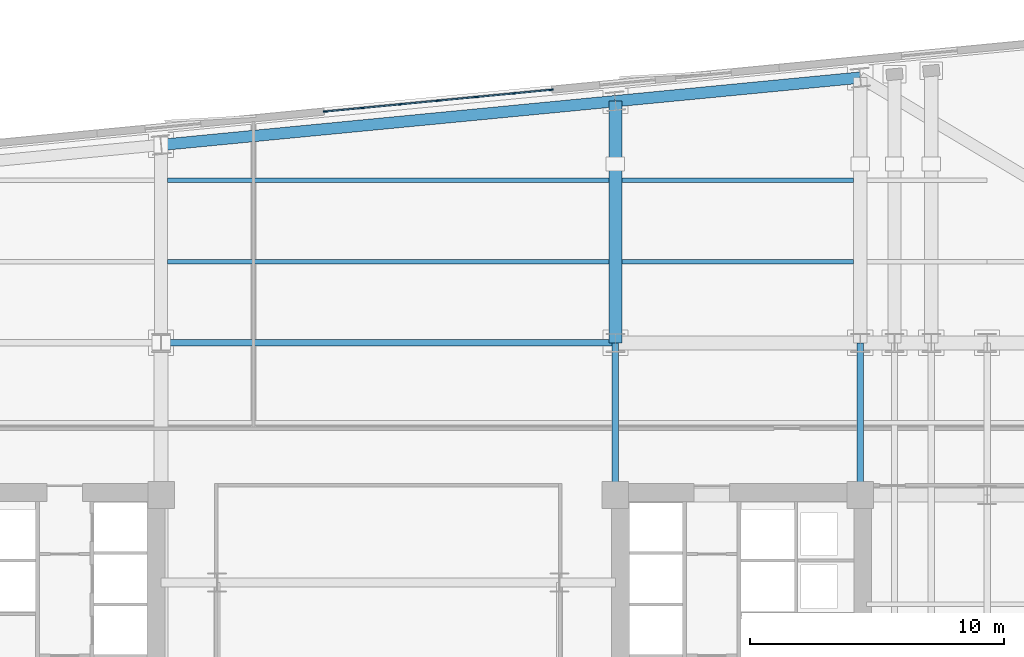
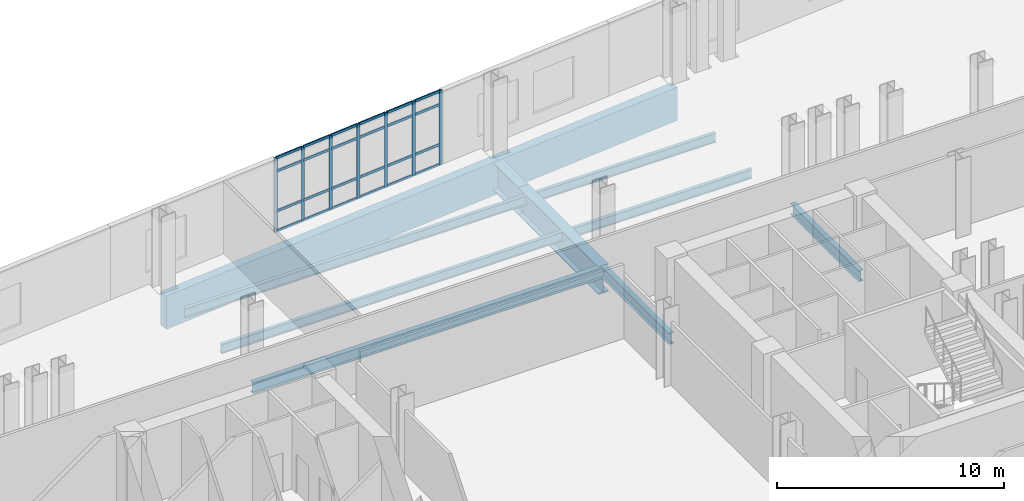
# One storey, part 3 of 14: 31 members, 11 beams, 1 element without a shape of its own.
"""IFC4 building model written with IfcOpenShell, lengths in metres."""

from ifc_helpers import new_model, si_unit, direction, frame, origin, origin_2d, place, context, subcontext, project, spatial, rectangle, i_section, extrude, material, layer, layer_set, material_profile, profile_set, type_object, element, aggregate, save


model = new_model("IFC4")

# Units and contexts
model_context = context("Model", 3, precision=1e-05, world=origin(), true_north=direction((0.0, 1.0)))
body_context = subcontext(model_context, "Body", "Model", "MODEL_VIEW")
ifc_project = project(units=[si_unit("LENGTHUNIT", "METRE"), si_unit("AREAUNIT", "SQUARE_METRE"), si_unit("VOLUMEUNIT", "CUBIC_METRE"), si_unit("PLANEANGLEUNIT", "RADIAN"), si_unit("MASSUNIT", "GRAM", prefix="KILO")], contexts=[model_context])

# Site, building, storey
site_placement = place(None, origin())
site = spatial("IfcSite", under=ifc_project, at=site_placement, CompositionType="ELEMENT")
building_placement = place(site_placement, origin())
building = spatial("IfcBuilding", under=site, at=building_placement, Name="Velakula Bourse", CompositionType="ELEMENT")
storey_placement = place(building_placement, frame((0.0, 0.0, 70.0)))
storey = spatial("IfcBuildingStorey", under=building, at=storey_placement, Name="L18", CompositionType="ELEMENT", Elevation=70.0)

# Beams
ifc_material_1 = material(Name="Steel IS 2062 Grade 350 (E350)", Category="steel")
ifc_material_profile_1 = material_profile(ifc_material_1, i_section(OverallWidth=0.25, OverallDepth=0.60009765625, WebThickness=0.01171875, FlangeThickness=0.023681640625, at=origin_2d()), Name="Steel IS 2062 Grade 350 (E350)")
ifc_profile_set_1 = profile_set([ifc_material_profile_1], Name="Steel IS 2062 Grade 350 (E350)")
beam_type_1 = type_object("IfcBeamType", Name="BM-GRD-600H", PredefinedType="BEAM", material=ifc_profile_set_1)
for number, where, z_axis, x_axis, name in (
    (1, (8.949951171875, 8.60009765625, -0.580078125), (0.0, 1.0, 0.0), (-1.0, 0.0, 0.0), "L18 Fulcrum Grid Girder FLC-ECN"),
    (2, (18.60009765625, 8.60009765625, -0.580078125), (0.0, 1.0, 0.0), (-1.0, 0.0, 0.0), "L18 Fulcrum Grid Girder FLC-EN"),
):
    element("IfcBeam", number, at=place(storey_placement, frame(where, z_axis=z_axis, x_axis=x_axis)), inside=storey, type_object=beam_type_1, Name=name, PredefinedType="BEAM", context=body_context, shape_type="SweptSolid", body=[
        extrude(i_section(OverallWidth=0.25, OverallDepth=0.60009765625, WebThickness=0.01171875, FlangeThickness=0.023681640625, at=origin_2d()), origin(), (0.0, 0.0, 1.0), 6.0),
    ])
beam_1_placement = place(storey_placement, frame((-8.949951171875, 14.60009765625, -0.580078125), z_axis=(1.0, 0.0, 0.0), x_axis=(0.0, 1.0, 0.0)))
element("IfcBeam", 3, at=beam_1_placement, inside=storey, type_object=beam_type_1, Name="L18 Fulcrum Grid Girder FLC-N2", PredefinedType="BEAM", context=body_context, shape_type="SweptSolid", body=[
    extrude(i_section(OverallWidth=0.25, OverallDepth=0.60009765625, WebThickness=0.01171875, FlangeThickness=0.023681640625, at=origin_2d()), origin(), (0.0, 0.0, 1.0), 17.89990234375),
])
ifc_material_profile_2 = material_profile(ifc_material_1, i_section(OverallWidth=0.179931640625, OverallDepth=0.5, WebThickness=0.01025390625, FlangeThickness=0.01708984375, at=origin_2d()), Name="Steel IS 2062 Grade 350 (E350)")
ifc_profile_set_2 = profile_set([ifc_material_profile_2], Name="Steel IS 2062 Grade 350 (E350)")
beam_type_2 = type_object("IfcBeamType", Name="JST-TWR-500", PredefinedType="JOIST", material=ifc_profile_set_2)
beam_2_placement = place(storey_placement, frame((-8.68994140625, 17.800048828125, -0.530029296875), z_axis=(1.0, 0.0, 0.0), x_axis=(0.0, 1.0, 0.0)))
element("IfcBeam", 4, at=beam_2_placement, inside=storey, type_object=beam_type_2, Name="L18 Trading Floor Composite Joist 22", PredefinedType="JOIST", context=body_context, shape_type="SweptSolid", body=[
    extrude(i_section(OverallWidth=0.179931640625, OverallDepth=0.5, WebThickness=0.01025390625, FlangeThickness=0.01708984375, at=origin_2d()), origin(), (0.0, 0.0, 1.0), 17.3798828125),
])
beam_3_placement = place(storey_placement, frame((9.2099609375, 17.800048828125, -0.530029296875), z_axis=(1.0, 0.0, 0.0), x_axis=(0.0, 1.0, 0.0)))
element("IfcBeam", 5, at=beam_3_placement, inside=storey, type_object=beam_type_2, Name="L18 Trading Floor Composite Joist 23", PredefinedType="JOIST", context=body_context, shape_type="SweptSolid", body=[
    extrude(i_section(OverallWidth=0.179931640625, OverallDepth=0.5, WebThickness=0.01025390625, FlangeThickness=0.01708984375, at=origin_2d()), origin(), (0.0, 0.0, 1.0), 9.130126953125),
])
beam_4_placement = place(storey_placement, frame((-8.68994140625, 21.0, -0.530029296875), z_axis=(1.0, 0.0, 0.0), x_axis=(0.0, 1.0, 0.0)))
element("IfcBeam", 6, at=beam_4_placement, inside=storey, type_object=beam_type_2, Name="L18 Trading Floor Composite Joist 28", PredefinedType="JOIST", context=body_context, shape_type="SweptSolid", body=[
    extrude(i_section(OverallWidth=0.179931640625, OverallDepth=0.5, WebThickness=0.01025390625, FlangeThickness=0.01708984375, at=origin_2d()), origin(), (0.0, 0.0, 1.0), 17.3798828125),
])
beam_5_placement = place(storey_placement, frame((9.2099609375, 21.0, -0.530029296875), z_axis=(1.0, 0.0, 0.0), x_axis=(0.0, 1.0, 0.0)))
element("IfcBeam", 7, at=beam_5_placement, inside=storey, type_object=beam_type_2, Name="L18 Trading Floor Composite Joist 29", PredefinedType="JOIST", context=body_context, shape_type="SweptSolid", body=[
    extrude(i_section(OverallWidth=0.179931640625, OverallDepth=0.5, WebThickness=0.01025390625, FlangeThickness=0.01708984375, at=origin_2d()), origin(), (0.0, 0.0, 1.0), 9.130126953125),
])

# Curtain wall, members
ifc_material_2 = material(Name="Anodised bronze architectural aluminium", Category="aluminium")
ifc_layer = layer(ifc_material_2, 0.1650390625, Name="Anodised bronze architectural aluminium", Category="aluminium")
ifc_layer_set = layer_set([ifc_layer], Name="Anodised bronze architectural aluminium")
curtain_wall_type = type_object("IfcCurtainWallType", Name="CW-SL1", PredefinedType="NOTDEFINED", material=ifc_layer_set)
curtain_wall_placement = place(storey_placement, origin())
curtain_wall = element("IfcCurtainWall", 8, at=curtain_wall_placement, inside=storey, type_object=curtain_wall_type, Name="L18 Sky-Lobby Feature Curtain Wall", PredefinedType="NOTDEFINED")
ifc_material_profile_3 = material_profile(ifc_material_2, rectangle(XDim=0.06005859375, YDim=0.1650390625, at=origin_2d()), Name="Anodised bronze architectural aluminium")
ifc_profile_set_3 = profile_set([ifc_material_profile_3], Name="Anodised bronze architectural aluminium")
member_type_1 = type_object("IfcMemberType", Name="MUL-CW-SL1", PredefinedType="MULLION", material=ifc_profile_set_3)
member_1_placement = place(storey_placement, frame((-2.485107421875, 23.7138671875, 0.0), z_axis=(0.0, 0.0, 1.0), x_axis=(-0.095845153814, 0.995396256016, 0.0)))
member_1 = element("IfcMember", 9, at=member_1_placement, type_object=member_type_1, Name="CW-SL1 mullion 1", PredefinedType="MULLION", context=body_context, shape_type="SweptSolid", body=[
    extrude(rectangle(XDim=0.06005859375, YDim=0.1650390625, at=origin_2d()), origin(), (0.0, 0.0, 1.0), 4.0),
])
member_2_placement = place(storey_placement, frame((-1.02197265625, 23.854736328125, 0.0), z_axis=(0.0, 0.0, 1.0), x_axis=(-0.095845153814, 0.995396256016, 0.0)))
member_2 = element("IfcMember", 10, at=member_2_placement, type_object=member_type_1, Name="CW-SL1 mullion 2", PredefinedType="MULLION", context=body_context, shape_type="SweptSolid", body=[
    extrude(rectangle(XDim=0.06005859375, YDim=0.1650390625, at=origin_2d()), origin(), (0.0, 0.0, 1.0), 4.0),
])
member_3_placement = place(storey_placement, frame((0.47119140625, 23.99853515625, 0.0), z_axis=(0.0, 0.0, 1.0), x_axis=(-0.095845153814, 0.995396256016, 0.0)))
member_3 = element("IfcMember", 11, at=member_3_placement, type_object=member_type_1, Name="CW-SL1 mullion 3", PredefinedType="MULLION", context=body_context, shape_type="SweptSolid", body=[
    extrude(rectangle(XDim=0.06005859375, YDim=0.1650390625, at=origin_2d()), origin(), (0.0, 0.0, 1.0), 4.0),
])
member_4_placement = place(storey_placement, frame((1.96435546875, 24.14208984375, 0.0), z_axis=(0.0, 0.0, 1.0), x_axis=(-0.095845153814, 0.995396256016, 0.0)))
member_4 = element("IfcMember", 12, at=member_4_placement, type_object=member_type_1, Name="CW-SL1 mullion 4", PredefinedType="MULLION", context=body_context, shape_type="SweptSolid", body=[
    extrude(rectangle(XDim=0.06005859375, YDim=0.1650390625, at=origin_2d()), origin(), (0.0, 0.0, 1.0), 4.0),
])
member_5_placement = place(storey_placement, frame((3.457275390625, 24.285888671875, 0.0), z_axis=(0.0, 0.0, 1.0), x_axis=(-0.095845153814, 0.995396256016, 0.0)))
member_5 = element("IfcMember", 13, at=member_5_placement, type_object=member_type_1, Name="CW-SL1 mullion 5", PredefinedType="MULLION", context=body_context, shape_type="SweptSolid", body=[
    extrude(rectangle(XDim=0.06005859375, YDim=0.1650390625, at=origin_2d()), origin(), (0.0, 0.0, 1.0), 4.0),
])
member_6_placement = place(storey_placement, frame((4.950439453125, 24.4296875, 0.0), z_axis=(0.0, 0.0, 1.0), x_axis=(-0.095845153814, 0.995396256016, 0.0)))
member_6 = element("IfcMember", 14, at=member_6_placement, type_object=member_type_1, Name="CW-SL1 mullion 6", PredefinedType="MULLION", context=body_context, shape_type="SweptSolid", body=[
    extrude(rectangle(XDim=0.06005859375, YDim=0.1650390625, at=origin_2d()), origin(), (0.0, 0.0, 1.0), 4.0),
])
member_7_placement = place(storey_placement, frame((6.41357421875, 24.570556640625, 0.0), z_axis=(0.0, 0.0, 1.0), x_axis=(-0.095845153814, 0.995396256016, 0.0)))
member_7 = element("IfcMember", 15, at=member_7_placement, type_object=member_type_1, Name="CW-SL1 mullion 7", PredefinedType="MULLION", context=body_context, shape_type="SweptSolid", body=[
    extrude(rectangle(XDim=0.06005859375, YDim=0.1650390625, at=origin_2d()), origin(), (0.0, 0.0, 1.0), 4.0),
])

# Beams
ifc_material_3 = material(Name="Concrete M50 (fck 50 MPa)", Category="concrete")
ifc_material_profile_4 = material_profile(ifc_material_3, rectangle(XDim=0.449951171875, YDim=1.800048828125, at=origin_2d()), Name="Concrete M50 (fck 50 MPa)")
ifc_profile_set_4 = profile_set([ifc_material_profile_4], Name="Concrete M50 (fck 50 MPa)")
beam_type_3 = type_object("IfcBeamType", Name="SPN-TRF-1800", PredefinedType="SPANDREL", material=ifc_profile_set_4)
beam_6_placement = place(storey_placement, frame((-8.949951171875, 22.398193359375, -1.179931640625), z_axis=(0.995397131467, 0.095836061418, 0.0), x_axis=(-0.095836061418, 0.995397131467, 0.0)))
element("IfcBeam", 16, at=beam_6_placement, inside=storey, type_object=beam_type_3, Name="L18 Brick-Faced Precast Spandrel N2-N3", PredefinedType="SPANDREL", context=body_context, shape_type="SweptSolid", body=[
    extrude(rectangle(XDim=0.449951171875, YDim=1.800048828125, at=origin_2d()), origin(), (0.0, 0.0, 1.0), 17.982666015625),
])
beam_7_placement = place(storey_placement, frame((8.949951171875, 24.12158203125, -1.179931640625), z_axis=(0.99539623971, 0.095845323155, 0.0), x_axis=(-0.095845323155, 0.99539623971, 0.0)))
element("IfcBeam", 17, at=beam_7_placement, inside=storey, type_object=beam_type_3, Name="L18 Brick-Faced Precast Spandrel N3-N4", PredefinedType="SPANDREL", context=body_context, shape_type="SweptSolid", body=[
    extrude(rectangle(XDim=0.449951171875, YDim=1.800048828125, at=origin_2d()), origin(), (0.0, 0.0, 1.0), 9.69482421875),
])
ifc_material_4 = material(Name="Steel IS 2062 Grade 450 (E450)", Category="steel")
ifc_material_profile_5 = material_profile(ifc_material_4, i_section(OverallWidth=0.52001953125, OverallDepth=1.5, WebThickness=0.030029296875, FlangeThickness=0.048095703125, at=origin_2d()), Name="Steel IS 2062 Grade 450 (E450)")
ifc_profile_set_5 = profile_set([ifc_material_profile_5], Name="Steel IS 2062 Grade 450 (E450)")
beam_type_4 = type_object("IfcBeamType", Name="TB-CANT-1500", PredefinedType="BEAM", material=ifc_profile_set_5)
beam_8_placement = place(storey_placement, frame((8.949951171875, 14.60009765625, -1.030029296875), z_axis=(0.0, 1.0, 0.0), x_axis=(-1.0, 0.0, 0.0)))
element("IfcBeam", 18, at=beam_8_placement, inside=storey, type_object=beam_type_4, Name="L18 Collinear Transfer Back-Span Girder N3", PredefinedType="BEAM", context=body_context, shape_type="SweptSolid", body=[
    extrude(i_section(OverallWidth=0.52001953125, OverallDepth=1.5, WebThickness=0.030029296875, FlangeThickness=0.048095703125, at=origin_2d()), origin(), (0.0, 0.0, 1.0), 7.0498046875),
])
beam_9_placement = place(storey_placement, frame((8.949951171875, 21.64990234375, -1.030029296875), z_axis=(0.0, 1.0, 0.0), x_axis=(-1.0, 0.0, 0.0)))
element("IfcBeam", 19, at=beam_9_placement, inside=storey, type_object=beam_type_4, Name="L18 Primary Cantilever Transfer Chord N3", PredefinedType="BEAM", context=body_context, shape_type="SweptSolid", body=[
    extrude(i_section(OverallWidth=0.52001953125, OverallDepth=1.5, WebThickness=0.030029296875, FlangeThickness=0.048095703125, at=origin_2d()), origin(), (0.0, 0.0, 1.0), 2.4716796875),
])

# Member
ifc_material_profile_6 = material_profile(ifc_material_2, rectangle(XDim=0.06005859375, YDim=0.139892578125, at=origin_2d()), Name="Anodised bronze architectural aluminium")
ifc_profile_set_6 = profile_set([ifc_material_profile_6], Name="Anodised bronze architectural aluminium")
member_type_2 = type_object("IfcMemberType", Name="TRN-CW-SL1", PredefinedType="USERDEFINED", material=ifc_profile_set_6)
member_8_placement = place(storey_placement, frame((-2.455322265625, 23.716552734375, 0.030029296875), z_axis=(0.995389022244, 0.095920250187, 0.0), x_axis=(-0.095920250187, 0.995389022244, 0.0)))
member_8 = element("IfcMember", 20, at=member_8_placement, type_object=member_type_2, Name="CW-SL1 transom 1.1", ObjectType="TRANSOM", PredefinedType="USERDEFINED", context=body_context, shape_type="SweptSolid", body=[
    extrude(rectangle(XDim=0.06005859375, YDim=0.139892578125, at=origin_2d()), origin(), (0.0, 0.0, 1.0), 1.41015625),
])

member_9_placement = place(storey_placement, frame((-2.455322265625, 23.716552734375, 1.10009765625), z_axis=(0.995389022244, 0.095920250187, 0.0), x_axis=(-0.095920250187, 0.995389022244, 0.0)))
member_9 = element("IfcMember", 21, at=member_9_placement, type_object=member_type_2, Name="CW-SL1 transom 1.2", ObjectType="TRANSOM", PredefinedType="USERDEFINED", context=body_context, shape_type="SweptSolid", body=[
    extrude(rectangle(XDim=0.06005859375, YDim=0.139892578125, at=origin_2d()), origin(), (0.0, 0.0, 1.0), 1.41015625),
])

member_10_placement = place(storey_placement, frame((-2.455322265625, 23.716552734375, 3.25), z_axis=(0.995389022244, 0.095920250187, 0.0), x_axis=(-0.095920250187, 0.995389022244, 0.0)))
member_10 = element("IfcMember", 22, at=member_10_placement, type_object=member_type_2, Name="CW-SL1 transom 1.3", ObjectType="TRANSOM", PredefinedType="USERDEFINED", context=body_context, shape_type="SweptSolid", body=[
    extrude(rectangle(XDim=0.06005859375, YDim=0.139892578125, at=origin_2d()), origin(), (0.0, 0.0, 1.0), 1.41015625),
])

member_11_placement = place(storey_placement, frame((-2.455322265625, 23.716552734375, 3.969970703125), z_axis=(0.995389022244, 0.095920250187, 0.0), x_axis=(-0.095920250187, 0.995389022244, 0.0)))
member_11 = element("IfcMember", 23, at=member_11_placement, type_object=member_type_2, Name="CW-SL1 transom 1.4", ObjectType="TRANSOM", PredefinedType="USERDEFINED", context=body_context, shape_type="SweptSolid", body=[
    extrude(rectangle(XDim=0.06005859375, YDim=0.139892578125, at=origin_2d()), origin(), (0.0, 0.0, 1.0), 1.41015625),
])

member_12_placement = place(storey_placement, frame((-0.991943359375, 23.857421875, 0.030029296875), z_axis=(0.995385079392, 0.095961157373, 0.0), x_axis=(-0.095961157373, 0.995385079392, 0.0)))
member_12 = element("IfcMember", 24, at=member_12_placement, type_object=member_type_2, Name="CW-SL1 transom 2.1", ObjectType="TRANSOM", PredefinedType="USERDEFINED", context=body_context, shape_type="SweptSolid", body=[
    extrude(rectangle(XDim=0.06005859375, YDim=0.139892578125, at=origin_2d()), origin(), (0.0, 0.0, 1.0), 1.43994140625),
])

member_13_placement = place(storey_placement, frame((-0.991943359375, 23.857421875, 1.10009765625), z_axis=(0.995385079392, 0.095961157373, 0.0), x_axis=(-0.095961157373, 0.995385079392, 0.0)))
member_13 = element("IfcMember", 25, at=member_13_placement, type_object=member_type_2, Name="CW-SL1 transom 2.2", ObjectType="TRANSOM", PredefinedType="USERDEFINED", context=body_context, shape_type="SweptSolid", body=[
    extrude(rectangle(XDim=0.06005859375, YDim=0.139892578125, at=origin_2d()), origin(), (0.0, 0.0, 1.0), 1.43994140625),
])

member_14_placement = place(storey_placement, frame((-0.991943359375, 23.857421875, 3.25), z_axis=(0.995385079392, 0.095961157373, 0.0), x_axis=(-0.095961157373, 0.995385079392, 0.0)))
member_14 = element("IfcMember", 26, at=member_14_placement, type_object=member_type_2, Name="CW-SL1 transom 2.3", ObjectType="TRANSOM", PredefinedType="USERDEFINED", context=body_context, shape_type="SweptSolid", body=[
    extrude(rectangle(XDim=0.06005859375, YDim=0.139892578125, at=origin_2d()), origin(), (0.0, 0.0, 1.0), 1.43994140625),
])

member_15_placement = place(storey_placement, frame((-0.991943359375, 23.857421875, 3.969970703125), z_axis=(0.995385079392, 0.095961157373, 0.0), x_axis=(-0.095961157373, 0.995385079392, 0.0)))
member_15 = element("IfcMember", 27, at=member_15_placement, type_object=member_type_2, Name="CW-SL1 transom 2.4", ObjectType="TRANSOM", PredefinedType="USERDEFINED", context=body_context, shape_type="SweptSolid", body=[
    extrude(rectangle(XDim=0.06005859375, YDim=0.139892578125, at=origin_2d()), origin(), (0.0, 0.0, 1.0), 1.43994140625),
])

member_16_placement = place(storey_placement, frame((0.5009765625, 24.001220703125, 0.030029296875), z_axis=(0.995385079392, 0.095961157373, 0.0), x_axis=(-0.095961157373, 0.995385079392, 0.0)))
member_16 = element("IfcMember", 28, at=member_16_placement, type_object=member_type_2, Name="CW-SL1 transom 3.1", ObjectType="TRANSOM", PredefinedType="USERDEFINED", context=body_context, shape_type="SweptSolid", body=[
    extrude(rectangle(XDim=0.06005859375, YDim=0.139892578125, at=origin_2d()), origin(), (0.0, 0.0, 1.0), 1.43994140625),
])

member_17_placement = place(storey_placement, frame((0.5009765625, 24.001220703125, 1.10009765625), z_axis=(0.995385079392, 0.095961157373, 0.0), x_axis=(-0.095961157373, 0.995385079392, 0.0)))
member_17 = element("IfcMember", 29, at=member_17_placement, type_object=member_type_2, Name="CW-SL1 transom 3.2", ObjectType="TRANSOM", PredefinedType="USERDEFINED", context=body_context, shape_type="SweptSolid", body=[
    extrude(rectangle(XDim=0.06005859375, YDim=0.139892578125, at=origin_2d()), origin(), (0.0, 0.0, 1.0), 1.43994140625),
])

member_18_placement = place(storey_placement, frame((0.5009765625, 24.001220703125, 3.25), z_axis=(0.995385079392, 0.095961157373, 0.0), x_axis=(-0.095961157373, 0.995385079392, 0.0)))
member_18 = element("IfcMember", 30, at=member_18_placement, type_object=member_type_2, Name="CW-SL1 transom 3.3", ObjectType="TRANSOM", PredefinedType="USERDEFINED", context=body_context, shape_type="SweptSolid", body=[
    extrude(rectangle(XDim=0.06005859375, YDim=0.139892578125, at=origin_2d()), origin(), (0.0, 0.0, 1.0), 1.43994140625),
])

member_19_placement = place(storey_placement, frame((0.5009765625, 24.001220703125, 3.969970703125), z_axis=(0.995385079392, 0.095961157373, 0.0), x_axis=(-0.095961157373, 0.995385079392, 0.0)))
member_19 = element("IfcMember", 31, at=member_19_placement, type_object=member_type_2, Name="CW-SL1 transom 3.4", ObjectType="TRANSOM", PredefinedType="USERDEFINED", context=body_context, shape_type="SweptSolid", body=[
    extrude(rectangle(XDim=0.06005859375, YDim=0.139892578125, at=origin_2d()), origin(), (0.0, 0.0, 1.0), 1.43994140625),
])

member_20_placement = place(storey_placement, frame((1.994140625, 24.14501953125, 0.030029296875), z_axis=(0.995385079392, 0.095961157373, 0.0), x_axis=(-0.095961157373, 0.995385079392, 0.0)))
member_20 = element("IfcMember", 32, at=member_20_placement, type_object=member_type_2, Name="CW-SL1 transom 4.1", ObjectType="TRANSOM", PredefinedType="USERDEFINED", context=body_context, shape_type="SweptSolid", body=[
    extrude(rectangle(XDim=0.06005859375, YDim=0.139892578125, at=origin_2d()), origin(), (0.0, 0.0, 1.0), 1.43994140625),
])

member_21_placement = place(storey_placement, frame((1.994140625, 24.14501953125, 1.10009765625), z_axis=(0.995385079392, 0.095961157373, 0.0), x_axis=(-0.095961157373, 0.995385079392, 0.0)))
member_21 = element("IfcMember", 33, at=member_21_placement, type_object=member_type_2, Name="CW-SL1 transom 4.2", ObjectType="TRANSOM", PredefinedType="USERDEFINED", context=body_context, shape_type="SweptSolid", body=[
    extrude(rectangle(XDim=0.06005859375, YDim=0.139892578125, at=origin_2d()), origin(), (0.0, 0.0, 1.0), 1.43994140625),
])

member_22_placement = place(storey_placement, frame((1.994140625, 24.14501953125, 3.25), z_axis=(0.995385079392, 0.095961157373, 0.0), x_axis=(-0.095961157373, 0.995385079392, 0.0)))
member_22 = element("IfcMember", 34, at=member_22_placement, type_object=member_type_2, Name="CW-SL1 transom 4.3", ObjectType="TRANSOM", PredefinedType="USERDEFINED", context=body_context, shape_type="SweptSolid", body=[
    extrude(rectangle(XDim=0.06005859375, YDim=0.139892578125, at=origin_2d()), origin(), (0.0, 0.0, 1.0), 1.43994140625),
])

member_23_placement = place(storey_placement, frame((1.994140625, 24.14501953125, 3.969970703125), z_axis=(0.995385079392, 0.095961157373, 0.0), x_axis=(-0.095961157373, 0.995385079392, 0.0)))
member_23 = element("IfcMember", 35, at=member_23_placement, type_object=member_type_2, Name="CW-SL1 transom 4.4", ObjectType="TRANSOM", PredefinedType="USERDEFINED", context=body_context, shape_type="SweptSolid", body=[
    extrude(rectangle(XDim=0.06005859375, YDim=0.139892578125, at=origin_2d()), origin(), (0.0, 0.0, 1.0), 1.43994140625),
])

member_24_placement = place(storey_placement, frame((3.4873046875, 24.288818359375, 0.030029296875), z_axis=(0.99540125991, 0.095793171836, 0.0), x_axis=(-0.095793171836, 0.99540125991, 0.0)))
member_24 = element("IfcMember", 36, at=member_24_placement, type_object=member_type_2, Name="CW-SL1 transom 5.1", ObjectType="TRANSOM", PredefinedType="USERDEFINED", context=body_context, shape_type="SweptSolid", body=[
    extrude(rectangle(XDim=0.06005859375, YDim=0.139892578125, at=origin_2d()), origin(), (0.0, 0.0, 1.0), 1.43994140625),
])

member_25_placement = place(storey_placement, frame((3.4873046875, 24.288818359375, 1.10009765625), z_axis=(0.99540125991, 0.095793171836, 0.0), x_axis=(-0.095793171836, 0.99540125991, 0.0)))
member_25 = element("IfcMember", 37, at=member_25_placement, type_object=member_type_2, Name="CW-SL1 transom 5.2", ObjectType="TRANSOM", PredefinedType="USERDEFINED", context=body_context, shape_type="SweptSolid", body=[
    extrude(rectangle(XDim=0.06005859375, YDim=0.139892578125, at=origin_2d()), origin(), (0.0, 0.0, 1.0), 1.43994140625),
])

member_26_placement = place(storey_placement, frame((3.4873046875, 24.288818359375, 3.25), z_axis=(0.99540125991, 0.095793171836, 0.0), x_axis=(-0.095793171836, 0.99540125991, 0.0)))
member_26 = element("IfcMember", 38, at=member_26_placement, type_object=member_type_2, Name="CW-SL1 transom 5.3", ObjectType="TRANSOM", PredefinedType="USERDEFINED", context=body_context, shape_type="SweptSolid", body=[
    extrude(rectangle(XDim=0.06005859375, YDim=0.139892578125, at=origin_2d()), origin(), (0.0, 0.0, 1.0), 1.43994140625),
])

member_27_placement = place(storey_placement, frame((3.4873046875, 24.288818359375, 3.969970703125), z_axis=(0.99540125991, 0.095793171836, 0.0), x_axis=(-0.095793171836, 0.99540125991, 0.0)))
member_27 = element("IfcMember", 39, at=member_27_placement, type_object=member_type_2, Name="CW-SL1 transom 5.4", ObjectType="TRANSOM", PredefinedType="USERDEFINED", context=body_context, shape_type="SweptSolid", body=[
    extrude(rectangle(XDim=0.06005859375, YDim=0.139892578125, at=origin_2d()), origin(), (0.0, 0.0, 1.0), 1.43994140625),
])

member_28_placement = place(storey_placement, frame((4.980224609375, 24.4326171875, 0.030029296875), z_axis=(0.995389022244, 0.095920250187, 0.0), x_axis=(-0.095920250187, 0.995389022244, 0.0)))
member_28 = element("IfcMember", 40, at=member_28_placement, type_object=member_type_2, Name="CW-SL1 transom 6.1", ObjectType="TRANSOM", PredefinedType="USERDEFINED", context=body_context, shape_type="SweptSolid", body=[
    extrude(rectangle(XDim=0.06005859375, YDim=0.139892578125, at=origin_2d()), origin(), (0.0, 0.0, 1.0), 1.41015625),
])

member_29_placement = place(storey_placement, frame((4.980224609375, 24.4326171875, 1.10009765625), z_axis=(0.995389022244, 0.095920250187, 0.0), x_axis=(-0.095920250187, 0.995389022244, 0.0)))
member_29 = element("IfcMember", 41, at=member_29_placement, type_object=member_type_2, Name="CW-SL1 transom 6.2", ObjectType="TRANSOM", PredefinedType="USERDEFINED", context=body_context, shape_type="SweptSolid", body=[
    extrude(rectangle(XDim=0.06005859375, YDim=0.139892578125, at=origin_2d()), origin(), (0.0, 0.0, 1.0), 1.41015625),
])

member_30_placement = place(storey_placement, frame((4.980224609375, 24.4326171875, 3.25), z_axis=(0.995389022244, 0.095920250187, 0.0), x_axis=(-0.095920250187, 0.995389022244, 0.0)))
member_30 = element("IfcMember", 42, at=member_30_placement, type_object=member_type_2, Name="CW-SL1 transom 6.3", ObjectType="TRANSOM", PredefinedType="USERDEFINED", context=body_context, shape_type="SweptSolid", body=[
    extrude(rectangle(XDim=0.06005859375, YDim=0.139892578125, at=origin_2d()), origin(), (0.0, 0.0, 1.0), 1.41015625),
])

member_31_placement = place(storey_placement, frame((4.980224609375, 24.4326171875, 3.969970703125), z_axis=(0.995389022244, 0.095920250187, 0.0), x_axis=(-0.095920250187, 0.995389022244, 0.0)))
member_31 = element("IfcMember", 43, at=member_31_placement, type_object=member_type_2, Name="CW-SL1 transom 6.4", ObjectType="TRANSOM", PredefinedType="USERDEFINED", context=body_context, shape_type="SweptSolid", body=[
    extrude(rectangle(XDim=0.06005859375, YDim=0.139892578125, at=origin_2d()), origin(), (0.0, 0.0, 1.0), 1.41015625),
])

aggregate(curtain_wall, [member_1, member_2, member_3, member_4, member_5, member_6, member_7, member_8, member_9, member_10, member_11, member_12, member_13, member_14, member_15, member_16, member_17, member_18, member_19, member_20, member_21, member_22, member_23, member_24, member_25, member_26, member_27, member_28, member_29, member_30, member_31])

save(model, "model.ifc")
